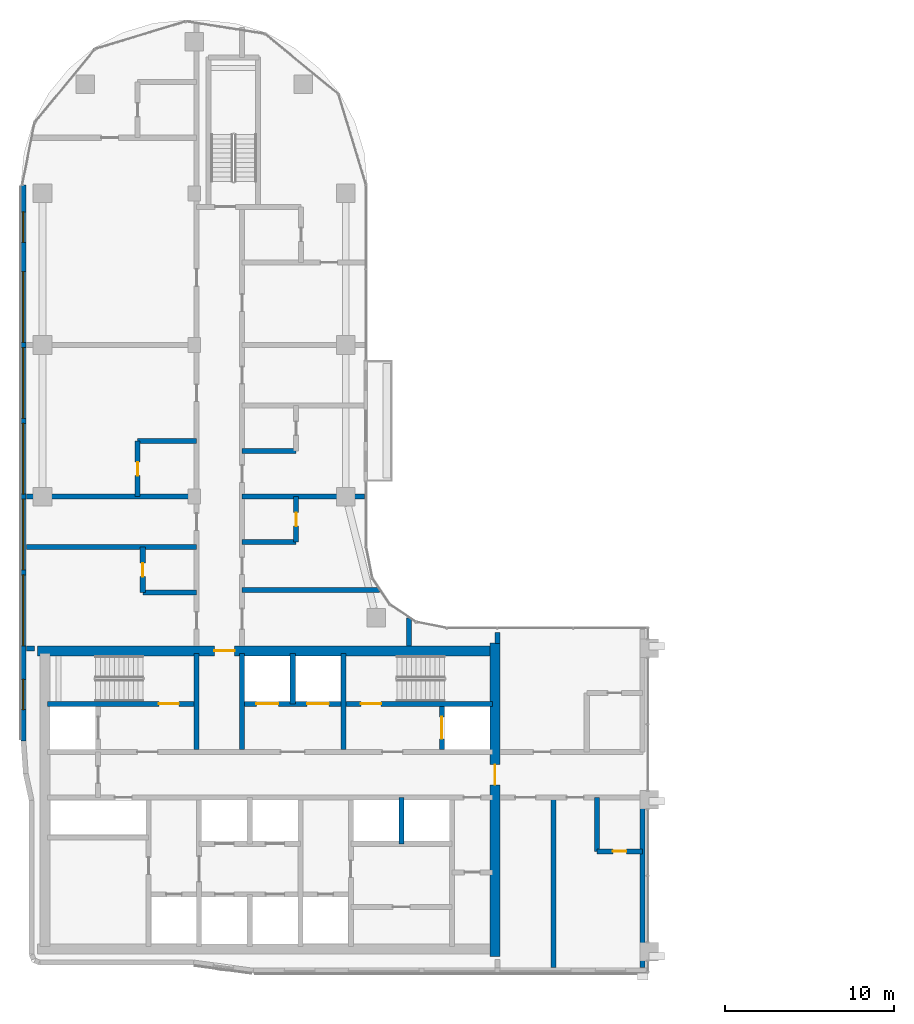
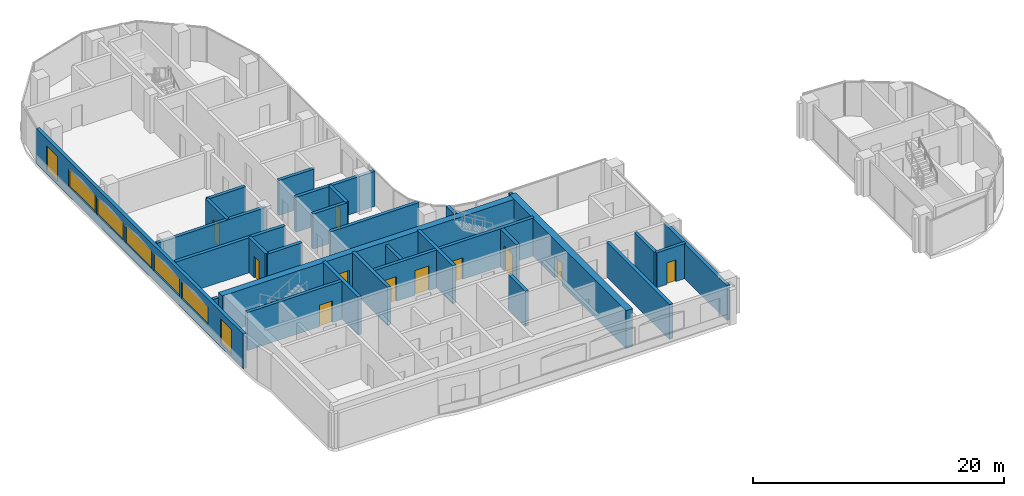
# One storey, part 11 of 23: 29 walls, 11 doors, 7 windows, 18 openings.
"""IFC4 building model written with IfcOpenShell, lengths in metres."""

from ifc_helpers import new_model, si_unit, direction, frame, frame_2d, origin, place, context, subcontext, project, spatial, rectangle, extrude, material, layer, layer_set, type_object, element, fill, save


model = new_model("IFC4")

# Units and contexts
model_context = context("Model", 3, precision=1e-05, world=origin(), true_north=direction((0.0, 1.0)))
body_context = subcontext(model_context, "Body", "Model", "MODEL_VIEW")
ifc_project = project(units=[si_unit("LENGTHUNIT", "METRE"), si_unit("AREAUNIT", "SQUARE_METRE"), si_unit("VOLUMEUNIT", "CUBIC_METRE"), si_unit("PLANEANGLEUNIT", "RADIAN"), si_unit("MASSUNIT", "GRAM", prefix="KILO")], contexts=[model_context])

# Site, building, storey
site_placement = place(None, origin())
site = spatial("IfcSite", under=ifc_project, at=site_placement, CompositionType="ELEMENT")
building_placement = place(site_placement, origin())
building = spatial("IfcBuilding", under=site, at=building_placement, Name="Ogive Portal Towers", CompositionType="ELEMENT")
storey_placement = place(building_placement, frame((0.0, 0.0, 164.39990234375)))
storey = spatial("IfcBuildingStorey", under=building, at=storey_placement, Name="L40", CompositionType="ELEMENT", Elevation=164.39990234375)

# Wall, opening, door
ifc_material_1 = material(Name="Concrete C60/75", Category="concrete")
ifc_layer_1 = layer(ifc_material_1, 0.300048828125)
ifc_layer_set_1 = layer_set([ifc_layer_1], Name="CORE WALL 300 C60")
wall_type_1 = type_object("IfcWallType", Name="CORE WALL 300 C60", PredefinedType="SHEAR", material=ifc_layer_set_1)
wall_1_placement = place(storey_placement, frame((31.800048828125, 36.199951171875, 0.0), z_axis=(0.0, 0.0, 1.0), x_axis=(1.0, 0.0, 0.0)))
wall_1 = element("IfcWall", 1, at=wall_1_placement, inside=storey, type_object=wall_type_1, Name="Core wall Y3a L40", PredefinedType="SHEAR", context=body_context, shape_type="SweptSolid", body=[
    extrude(rectangle(XDim=8.699951171875, YDim=0.300048828125, at=frame_2d((4.35009765625, 0.0))), origin(), (0.0, 0.0, 1.0), 3.7001953125),
])
opening_1_placement = place(wall_1_placement, frame((6.60009765625, 0.0, 0.0)))
opening_1 = element("IfcOpeningElement", 2, at=opening_1_placement, cuts=wall_1, Name="Opening D16-005", PredefinedType="OPENING", context=body_context, shape_type="SweptSolid", body=[
    extrude(rectangle(XDim=1.199951171875, YDim=2.10009765625, at=frame_2d((0.60009765625, 1.050048828125))), frame((0.0, 0.16015625, 0.0), z_axis=(0.0, -1.0, 0.0), x_axis=(1.0, 0.0, 0.0)), (0.0, 0.0, 1.0), 0.320068359375),
])
ifc_material_2 = material(Name="Steel fire door", Category="steel")
door_type_1 = type_object("IfcDoorType", Name="DT-SWING-1200x2100-FD90S", OperationType="SINGLE_SWING_LEFT", PredefinedType="DOOR", material=ifc_material_2)
door_1_placement = place(opening_1_placement, origin())
door_1 = element("IfcDoor", 3, at=door_1_placement, inside=storey, type_object=door_type_1, Name="Door D16-005", OperationType="SINGLE_SWING_RIGHT", OverallHeight=2.10009765625, OverallWidth=1.199951171875, PredefinedType="DOOR", context=body_context, shape_type="SweptSolid", body=[
    extrude(rectangle(XDim=1.199951171875, YDim=2.10009765625, at=frame_2d((0.60009765625, 1.050048828125))), frame((0.0, 0.02490234375, 0.0), z_axis=(0.0, -1.0, 0.0), x_axis=(1.0, 0.0, 0.0)), (0.0, 0.0, 1.0), 0.050048828125),
])
fill(opening_1, door_1)

# Wall, openings, doors
wall_2_placement = place(storey_placement, frame((43.5, 36.199951171875, 0.0), z_axis=(0.0, 0.0, 1.0), x_axis=(1.0, 0.0, 0.0)))
wall_2 = element("IfcWall", 4, at=wall_2_placement, inside=storey, type_object=wall_type_1, Name="Core wall Y3b L40", PredefinedType="SHEAR", context=body_context, shape_type="SweptSolid", body=[
    extrude(rectangle(XDim=14.699951171875, YDim=0.300048828125, at=frame_2d((7.35009765625, 0.0))), origin(), (0.0, 0.0, 1.0), 3.7001953125),
])
opening_2_placement = place(wall_2_placement, frame((6.89990234375, 0.0, 0.0)))
opening_2 = element("IfcOpeningElement", 5, at=opening_2_placement, cuts=wall_2, Name="Opening D16-006", PredefinedType="OPENING", context=body_context, shape_type="SweptSolid", body=[
    extrude(rectangle(XDim=1.199951171875, YDim=2.10009765625, at=frame_2d((0.60009765625, 1.050048828125))), frame((0.0, 0.16015625, 0.0), z_axis=(0.0, -1.0, 0.0), x_axis=(1.0, 0.0, 0.0)), (0.0, 0.0, 1.0), 0.320068359375),
])
opening_3_placement = place(wall_2_placement, frame((0.699951171875, 0.0, 0.0)))
opening_3 = element("IfcOpeningElement", 6, at=opening_3_placement, cuts=wall_2, Name="Opening D16-017", PredefinedType="OPENING", context=body_context, shape_type="SweptSolid", body=[
    extrude(rectangle(XDim=1.300048828125, YDim=2.39990234375, at=frame_2d((0.64990234375, 1.199951171875))), frame((0.0, 0.16015625, 0.0), z_axis=(0.0, -1.0, 0.0), x_axis=(1.0, 0.0, 0.0)), (0.0, 0.0, 1.0), 0.320068359375),
])
opening_4_placement = place(wall_2_placement, frame((3.699951171875, 0.0, 0.0)))
opening_4 = element("IfcOpeningElement", 7, at=opening_4_placement, cuts=wall_2, Name="Opening D16-018", PredefinedType="OPENING", context=body_context, shape_type="SweptSolid", body=[
    extrude(rectangle(XDim=1.300048828125, YDim=2.39990234375, at=frame_2d((0.64990234375, 1.199951171875))), frame((0.0, 0.16015625, 0.0), z_axis=(0.0, -1.0, 0.0), x_axis=(1.0, 0.0, 0.0)), (0.0, 0.0, 1.0), 0.320068359375),
])
ifc_material_3 = material(Name="Stainless steel", Category="steel")
door_type_2 = type_object("IfcDoorType", Name="DT-LD-1300x2400", OperationType="SLIDING_TO_LEFT", PredefinedType="DOOR", material=ifc_material_3)
door_2_placement = place(opening_3_placement, origin())
door_2 = element("IfcDoor", 8, at=door_2_placement, inside=storey, type_object=door_type_2, Name="Door D16-017", OperationType="SLIDING_TO_LEFT", OverallHeight=2.39990234375, OverallWidth=1.300048828125, PredefinedType="DOOR", context=body_context, shape_type="SweptSolid", body=[
    extrude(rectangle(XDim=1.300048828125, YDim=2.39990234375, at=frame_2d((0.64990234375, 1.199951171875))), frame((0.0, 0.02490234375, 0.0), z_axis=(0.0, -1.0, 0.0), x_axis=(1.0, 0.0, 0.0)), (0.0, 0.0, 1.0), 0.050048828125),
])
fill(opening_3, door_2)
door_3_placement = place(opening_4_placement, origin())
door_3 = element("IfcDoor", 9, at=door_3_placement, inside=storey, type_object=door_type_2, Name="Door D16-018", OperationType="SLIDING_TO_LEFT", OverallHeight=2.39990234375, OverallWidth=1.300048828125, PredefinedType="DOOR", context=body_context, shape_type="SweptSolid", body=[
    extrude(rectangle(XDim=1.300048828125, YDim=2.39990234375, at=frame_2d((0.64990234375, 1.199951171875))), frame((0.0, 0.02490234375, 0.0), z_axis=(0.0, -1.0, 0.0), x_axis=(1.0, 0.0, 0.0)), (0.0, 0.0, 1.0), 0.050048828125),
])
fill(opening_4, door_3)
door_4_placement = place(opening_2_placement, origin())
door_4 = element("IfcDoor", 10, at=door_4_placement, inside=storey, type_object=door_type_1, Name="Door D16-006", OperationType="SINGLE_SWING_LEFT", OverallHeight=2.10009765625, OverallWidth=1.199951171875, PredefinedType="DOOR", context=body_context, shape_type="SweptSolid", body=[
    extrude(rectangle(XDim=1.199951171875, YDim=2.10009765625, at=frame_2d((0.60009765625, 1.050048828125))), frame((0.0, 0.02490234375, 0.0), z_axis=(0.0, -1.0, 0.0), x_axis=(1.0, 0.0, 0.0)), (0.0, 0.0, 1.0), 0.050048828125),
])
fill(opening_2, door_4)

# Walls
for number, where, z_axis, x_axis, name in (
    (11, (40.64990234375, 33.5, 0.0), (0.0, 0.0, 1.0), (0.0, 1.0, 0.0), "Core wall X6 L40"),
    (12, (43.35009765625, 33.5, 0.0), (0.0, 0.0, 1.0), (0.0, 1.0, 0.0), "Core wall X7 L40"),
    (13, (49.35009765625, 33.5, 0.0), (0.0, 0.0, 1.0), (0.0, 1.0, 0.0), "Core wall X9 L40"),
):
    element("IfcWall", number, at=place(storey_placement, frame(where, z_axis=z_axis, x_axis=x_axis)), inside=storey, type_object=wall_type_1, Name=name, PredefinedType="SHEAR", context=body_context, shape_type="SweptSolid", body=[
        extrude(rectangle(XDim=5.699951171875, YDim=0.300048828125, at=frame_2d((2.85009765625, 0.0))), origin(), (0.0, 0.0, 1.0), 3.7001953125),
    ])

# Wall, opening, door
wall_3_placement = place(storey_placement, frame((55.199951171875, 33.5, 0.0), z_axis=(0.0, 0.0, 1.0), x_axis=(0.0, 1.0, 0.0)))
wall_3 = element("IfcWall", 14, at=wall_3_placement, inside=storey, type_object=wall_type_1, Name="Core wall X10 L40", PredefinedType="SHEAR", context=body_context, shape_type="SweptSolid", body=[
    extrude(rectangle(XDim=2.550048828125, YDim=0.300048828125, at=frame_2d((1.27490234375, 0.0))), origin(), (0.0, 0.0, 1.0), 3.7001953125),
])
opening_5_placement = place(wall_3_placement, frame((0.625, 0.0, 0.0)))
opening_5 = element("IfcOpeningElement", 15, at=opening_5_placement, cuts=wall_3, Name="Opening D16-020", PredefinedType="OPENING", context=body_context, shape_type="SweptSolid", body=[
    extrude(rectangle(XDim=1.300048828125, YDim=2.39990234375, at=frame_2d((0.64990234375, 1.199951171875))), frame((0.0, 0.16015625, 0.0), z_axis=(0.0, -1.0, 0.0), x_axis=(1.0, 0.0, 0.0)), (0.0, 0.0, 1.0), 0.320068359375),
])
door_5_placement = place(opening_5_placement, origin())
door_5 = element("IfcDoor", 16, at=door_5_placement, inside=storey, type_object=door_type_2, Name="Door D16-020", OperationType="SLIDING_TO_LEFT", OverallHeight=2.39990234375, OverallWidth=1.300048828125, PredefinedType="DOOR", context=body_context, shape_type="SweptSolid", body=[
    extrude(rectangle(XDim=1.300048828125, YDim=2.39990234375, at=frame_2d((0.64990234375, 1.199951171875))), frame((0.0, 0.02490234375, 0.0), z_axis=(0.0, -1.0, 0.0), x_axis=(1.0, 0.0, 0.0)), (0.0, 0.0, 1.0), 0.050048828125),
])
fill(opening_5, door_5)

ifc_layer_2 = layer(ifc_material_1, 0.60009765625)
ifc_layer_set_2 = layer_set([ifc_layer_2], Name="CORE WALL 600 C60")
wall_type_2 = type_object("IfcWallType", Name="CORE WALL 600 C60", PredefinedType="SHEAR", material=ifc_layer_set_2)
wall_4_placement = place(storey_placement, frame((58.35009765625, 21.199951171875, 0.0), z_axis=(0.0, 0.0, 1.0), x_axis=(0.0, 1.0, 0.0)))
wall_4 = element("IfcWall", 17, at=wall_4_placement, inside=storey, type_object=wall_type_2, Name="Core wall E L40", PredefinedType="SHEAR", context=body_context, shape_type="SweptSolid", body=[
    extrude(rectangle(XDim=18.60009765625, YDim=0.60009765625, at=frame_2d((9.300048828125, 0.0))), origin(), (0.0, 0.0, 1.0), 3.7001953125),
])
opening_6_placement = place(wall_4_placement, frame((10.199951171875, 0.0, 0.0)))
opening_6 = element("IfcOpeningElement", 18, at=opening_6_placement, cuts=wall_4, Name="Opening D16-011", PredefinedType="OPENING", context=body_context, shape_type="SweptSolid", body=[
    extrude(rectangle(XDim=1.199951171875, YDim=2.10009765625, at=frame_2d((0.60009765625, 1.050048828125))), frame((0.0, 0.31005859375, 0.0), z_axis=(0.0, -1.0, 0.0), x_axis=(1.0, 0.0, 0.0)), (0.0, 0.0, 1.0), 0.6201171875),
])
door_6_placement = place(opening_6_placement, origin())
door_6 = element("IfcDoor", 19, at=door_6_placement, inside=storey, type_object=door_type_1, Name="Door D16-011", OperationType="SINGLE_SWING_LEFT", OverallHeight=2.10009765625, OverallWidth=1.199951171875, PredefinedType="DOOR", context=body_context, shape_type="SweptSolid", body=[
    extrude(rectangle(XDim=1.199951171875, YDim=2.10009765625, at=frame_2d((0.60009765625, 1.050048828125))), frame((0.0, 0.02490234375, 0.0), z_axis=(0.0, -1.0, 0.0), x_axis=(1.0, 0.0, 0.0)), (0.0, 0.0, 1.0), 0.050048828125),
])
fill(opening_6, door_6)

wall_5_placement = place(storey_placement, frame((31.199951171875, 39.35009765625, 0.0), z_axis=(0.0, 0.0, 1.0), x_axis=(1.0, 0.0, 0.0)))
wall_5 = element("IfcWall", 20, at=wall_5_placement, inside=storey, type_object=wall_type_2, Name="Core wall N L40", PredefinedType="SHEAR", context=body_context, shape_type="SweptSolid", body=[
    extrude(rectangle(XDim=27.0, YDim=0.60009765625, at=frame_2d((13.5, 0.0))), origin(), (0.0, 0.0, 1.0), 3.7001953125),
])
opening_7_placement = place(wall_5_placement, frame((10.5, 0.0, 0.0)))
opening_7 = element("IfcOpeningElement", 21, at=opening_7_placement, cuts=wall_5, Name="Opening D16-012", PredefinedType="OPENING", context=body_context, shape_type="SweptSolid", body=[
    extrude(rectangle(XDim=1.199951171875, YDim=2.10009765625, at=frame_2d((0.60009765625, 1.050048828125))), frame((0.0, 0.31005859375, 0.0), z_axis=(0.0, -1.0, 0.0), x_axis=(1.0, 0.0, 0.0)), (0.0, 0.0, 1.0), 0.6201171875),
])
door_7_placement = place(opening_7_placement, origin())
door_7 = element("IfcDoor", 22, at=door_7_placement, inside=storey, type_object=door_type_1, Name="Door D16-012", OperationType="SINGLE_SWING_RIGHT", OverallHeight=2.10009765625, OverallWidth=1.199951171875, PredefinedType="DOOR", context=body_context, shape_type="SweptSolid", body=[
    extrude(rectangle(XDim=1.199951171875, YDim=2.10009765625, at=frame_2d((0.60009765625, 1.050048828125))), frame((0.0, 0.02490234375, 0.0), z_axis=(0.0, -1.0, 0.0), x_axis=(1.0, 0.0, 0.0)), (0.0, 0.0, 1.0), 0.050048828125),
])
fill(opening_7, door_7)

# Wall, openings, windows
ifc_material_4 = material(Name="Limestone cladding on lightweight block wall", Category="masonry")
ifc_layer_3 = layer(ifc_material_4, 0.300048828125)
ifc_layer_set_3 = layer_set([ifc_layer_3], Name="EXTERNAL WALL 300 STONE")
wall_type_3 = type_object("IfcWallType", Name="EXTERNAL WALL 300 STONE", PredefinedType="SOLIDWALL", material=ifc_layer_set_3)
wall_6_placement = place(storey_placement, frame((30.364990234375, 66.9921875, 0.0), z_axis=(0.0, 0.0, 1.0), x_axis=(0.0, -1.0, 0.0)))
wall_6 = element("IfcWall", 23, at=wall_6_placement, inside=storey, type_object=wall_type_3, Name="A:L40:f19:r0:wall", PredefinedType="SOLIDWALL", context=body_context, shape_type="SweptSolid", body=[
    extrude(rectangle(XDim=32.9814453125, YDim=0.300048828125, at=frame_2d((16.49072265625, 0.0))), origin(), (0.0, 0.0, 1.0), 3.400146484375),
])
opening_8_placement = place(wall_6_placement, frame((1.595947265625, 0.0, 0.300048828125)))
opening_8 = element("IfcOpeningElement", 24, at=opening_8_placement, cuts=wall_6, Name="Opening WN10", PredefinedType="OPENING", context=body_context, shape_type="SweptSolid", body=[
    extrude(rectangle(XDim=1.800048828125, YDim=2.39990234375, at=frame_2d((0.89990234375, 1.199951171875))), frame((0.0, 0.16015625, 0.0), z_axis=(0.0, -1.0, 0.0), x_axis=(1.0, 0.0, 0.0)), (0.0, 0.0, 1.0), 0.320068359375),
])
opening_9_placement = place(wall_6_placement, frame((5.14208984375, 0.0, 0.89990234375)))
opening_9 = element("IfcOpeningElement", 25, at=opening_9_placement, cuts=wall_6, Name="Opening WN13", PredefinedType="OPENING", context=body_context, shape_type="SweptSolid", body=[
    extrude(rectangle(XDim=4.199951171875, YDim=1.699951171875, at=frame_2d((2.10009765625, 0.85009765625))), frame((0.0, 0.16015625, 0.0), z_axis=(0.0, -1.0, 0.0), x_axis=(1.0, 0.0, 0.0)), (0.0, 0.0, 1.0), 0.320068359375),
])
opening_10_placement = place(wall_6_placement, frame((9.64208984375, 0.0, 0.89990234375)))
opening_10 = element("IfcOpeningElement", 26, at=opening_10_placement, cuts=wall_6, Name="Opening WN13", PredefinedType="OPENING", context=body_context, shape_type="SweptSolid", body=[
    extrude(rectangle(XDim=4.199951171875, YDim=1.699951171875, at=frame_2d((2.10009765625, 0.85009765625))), frame((0.0, 0.16015625, 0.0), z_axis=(0.0, -1.0, 0.0), x_axis=(1.0, 0.0, 0.0)), (0.0, 0.0, 1.0), 0.320068359375),
])
opening_11_placement = place(wall_6_placement, frame((14.14208984375, 0.0, 0.89990234375)))
opening_11 = element("IfcOpeningElement", 27, at=opening_11_placement, cuts=wall_6, Name="Opening WN13", PredefinedType="OPENING", context=body_context, shape_type="SweptSolid", body=[
    extrude(rectangle(XDim=4.199951171875, YDim=1.699951171875, at=frame_2d((2.10009765625, 0.85009765625))), frame((0.0, 0.16015625, 0.0), z_axis=(0.0, -1.0, 0.0), x_axis=(1.0, 0.0, 0.0)), (0.0, 0.0, 1.0), 0.320068359375),
])
opening_12_placement = place(wall_6_placement, frame((18.64208984375, 0.0, 0.89990234375)))
opening_12 = element("IfcOpeningElement", 28, at=opening_12_placement, cuts=wall_6, Name="Opening WN13", PredefinedType="OPENING", context=body_context, shape_type="SweptSolid", body=[
    extrude(rectangle(XDim=4.199951171875, YDim=1.699951171875, at=frame_2d((2.10009765625, 0.85009765625))), frame((0.0, 0.16015625, 0.0), z_axis=(0.0, -1.0, 0.0), x_axis=(1.0, 0.0, 0.0)), (0.0, 0.0, 1.0), 0.320068359375),
])
opening_13_placement = place(wall_6_placement, frame((23.14208984375, 0.0, 0.89990234375)))
opening_13 = element("IfcOpeningElement", 29, at=opening_13_placement, cuts=wall_6, Name="Opening WN13", PredefinedType="OPENING", context=body_context, shape_type="SweptSolid", body=[
    extrude(rectangle(XDim=4.199951171875, YDim=1.699951171875, at=frame_2d((2.10009765625, 0.85009765625))), frame((0.0, 0.16015625, 0.0), z_axis=(0.0, -1.0, 0.0), x_axis=(1.0, 0.0, 0.0)), (0.0, 0.0, 1.0), 0.320068359375),
])
opening_14_placement = place(wall_6_placement, frame((29.336669921875, 0.0, 0.300048828125)))
opening_14 = element("IfcOpeningElement", 30, at=opening_14_placement, cuts=wall_6, Name="Opening WN10", PredefinedType="OPENING", context=body_context, shape_type="SweptSolid", body=[
    extrude(rectangle(XDim=1.800048828125, YDim=2.39990234375, at=frame_2d((0.89990234375, 1.199951171875))), frame((0.0, 0.16015625, 0.0), z_axis=(0.0, -1.0, 0.0), x_axis=(1.0, 0.0, 0.0)), (0.0, 0.0, 1.0), 0.320068359375),
])
ifc_material_5 = material(Name="Glass, clear low-iron insulated glazing", Category="glass")
window_type_1 = type_object("IfcWindowType", Name="WINDOW RIBBON LANCET 4200x1700", PartitioningType="TRIPLE_PANEL_VERTICAL", PredefinedType="WINDOW", material=ifc_material_5)
window_1_placement = place(opening_9_placement, origin())
window_1 = element("IfcWindow", 31, at=window_1_placement, inside=storey, type_object=window_type_1, Name="A:L40:f19:r0:w1", OverallHeight=1.699951171875, OverallWidth=4.199951171875, PartitioningType="SINGLE_PANEL", PredefinedType="WINDOW", context=body_context, shape_type="SweptSolid", body=[
    extrude(rectangle(XDim=4.199951171875, YDim=1.699951171875, at=frame_2d((2.10009765625, 0.85009765625))), frame((0.0, 0.030029296875, 0.0), z_axis=(0.0, -1.0, 0.0), x_axis=(1.0, 0.0, 0.0)), (0.0, 0.0, 1.0), 0.06005859375),
])
fill(opening_9, window_1)
window_2_placement = place(opening_10_placement, origin())
window_2 = element("IfcWindow", 32, at=window_2_placement, inside=storey, type_object=window_type_1, Name="A:L40:f19:r0:w2", OverallHeight=1.699951171875, OverallWidth=4.199951171875, PartitioningType="SINGLE_PANEL", PredefinedType="WINDOW", context=body_context, shape_type="SweptSolid", body=[
    extrude(rectangle(XDim=4.199951171875, YDim=1.699951171875, at=frame_2d((2.10009765625, 0.85009765625))), frame((0.0, 0.030029296875, 0.0), z_axis=(0.0, -1.0, 0.0), x_axis=(1.0, 0.0, 0.0)), (0.0, 0.0, 1.0), 0.06005859375),
])
fill(opening_10, window_2)
window_3_placement = place(opening_11_placement, origin())
window_3 = element("IfcWindow", 33, at=window_3_placement, inside=storey, type_object=window_type_1, Name="A:L40:f19:r0:w3", OverallHeight=1.699951171875, OverallWidth=4.199951171875, PartitioningType="SINGLE_PANEL", PredefinedType="WINDOW", context=body_context, shape_type="SweptSolid", body=[
    extrude(rectangle(XDim=4.199951171875, YDim=1.699951171875, at=frame_2d((2.10009765625, 0.85009765625))), frame((0.0, 0.030029296875, 0.0), z_axis=(0.0, -1.0, 0.0), x_axis=(1.0, 0.0, 0.0)), (0.0, 0.0, 1.0), 0.06005859375),
])
fill(opening_11, window_3)
window_4_placement = place(opening_12_placement, origin())
window_4 = element("IfcWindow", 34, at=window_4_placement, inside=storey, type_object=window_type_1, Name="A:L40:f19:r0:w4", OverallHeight=1.699951171875, OverallWidth=4.199951171875, PartitioningType="SINGLE_PANEL", PredefinedType="WINDOW", context=body_context, shape_type="SweptSolid", body=[
    extrude(rectangle(XDim=4.199951171875, YDim=1.699951171875, at=frame_2d((2.10009765625, 0.85009765625))), frame((0.0, 0.030029296875, 0.0), z_axis=(0.0, -1.0, 0.0), x_axis=(1.0, 0.0, 0.0)), (0.0, 0.0, 1.0), 0.06005859375),
])
fill(opening_12, window_4)
window_5_placement = place(opening_13_placement, origin())
window_5 = element("IfcWindow", 35, at=window_5_placement, inside=storey, type_object=window_type_1, Name="A:L40:f19:r0:w5", OverallHeight=1.699951171875, OverallWidth=4.199951171875, PartitioningType="SINGLE_PANEL", PredefinedType="WINDOW", context=body_context, shape_type="SweptSolid", body=[
    extrude(rectangle(XDim=4.199951171875, YDim=1.699951171875, at=frame_2d((2.10009765625, 0.85009765625))), frame((0.0, 0.030029296875, 0.0), z_axis=(0.0, -1.0, 0.0), x_axis=(1.0, 0.0, 0.0)), (0.0, 0.0, 1.0), 0.06005859375),
])
fill(opening_13, window_5)
window_type_2 = type_object("IfcWindowType", Name="WINDOW SUITE CORNER 1800x2400", PartitioningType="DOUBLE_PANEL_VERTICAL", PredefinedType="WINDOW", material=ifc_material_5)
window_6_placement = place(opening_8_placement, origin())
window_6 = element("IfcWindow", 36, at=window_6_placement, inside=storey, type_object=window_type_2, Name="A:L40:f19:r0:w0", OverallHeight=2.39990234375, OverallWidth=1.800048828125, PartitioningType="SINGLE_PANEL", PredefinedType="WINDOW", context=body_context, shape_type="SweptSolid", body=[
    extrude(rectangle(XDim=1.800048828125, YDim=2.39990234375, at=frame_2d((0.89990234375, 1.199951171875))), frame((0.0, 0.030029296875, 0.0), z_axis=(0.0, -1.0, 0.0), x_axis=(1.0, 0.0, 0.0)), (0.0, 0.0, 1.0), 0.06005859375),
])
fill(opening_8, window_6)
window_7_placement = place(opening_14_placement, origin())
window_7 = element("IfcWindow", 37, at=window_7_placement, inside=storey, type_object=window_type_2, Name="A:L40:f19:r0:w6", OverallHeight=2.39990234375, OverallWidth=1.800048828125, PartitioningType="SINGLE_PANEL", PredefinedType="WINDOW", context=body_context, shape_type="SweptSolid", body=[
    extrude(rectangle(XDim=1.800048828125, YDim=2.39990234375, at=frame_2d((0.89990234375, 1.199951171875))), frame((0.0, 0.030029296875, 0.0), z_axis=(0.0, -1.0, 0.0), x_axis=(1.0, 0.0, 0.0)), (0.0, 0.0, 1.0), 0.06005859375),
])
fill(opening_14, window_7)

# Wall, opening, door
ifc_material_6 = material(Name="Gypsum board partition on steel studs", Category="steel")
ifc_layer_4 = layer(ifc_material_6, 0.300048828125)
ifc_layer_set_4 = layer_set([ifc_layer_4], Name="WT-PART-300-EI 60")
wall_type_4 = type_object("IfcWallType", Name="WT-PART-300-EI 60", PredefinedType="PARTITIONING", material=ifc_layer_set_4)
wall_7_placement = place(storey_placement, frame((64.39990234375, 27.449951171875, 0.0), z_axis=(0.0, 0.0, 1.0), x_axis=(1.0, 0.0, 0.0)))
wall_7 = element("IfcWall", 38, at=wall_7_placement, inside=storey, type_object=wall_type_4, Name="Wall L40:w002", PredefinedType="PARTITIONING", context=body_context, shape_type="SweptSolid", body=[
    extrude(rectangle(XDim=2.7001953125, YDim=0.300048828125, at=frame_2d((1.35009765625, 0.0))), origin(), (0.0, 0.0, 1.0), 3.400146484375),
])
opening_15_placement = place(wall_7_placement, frame((0.949951171875, 0.0, 0.0)))
opening_15 = element("IfcOpeningElement", 39, at=opening_15_placement, cuts=wall_7, Name="Opening D16-029", PredefinedType="OPENING", context=body_context, shape_type="SweptSolid", body=[
    extrude(rectangle(XDim=0.800048828125, YDim=2.10009765625, at=frame_2d((0.39990234375, 1.050048828125))), frame((0.0, 0.16015625, 0.0), z_axis=(0.0, -1.0, 0.0), x_axis=(1.0, 0.0, 0.0)), (0.0, 0.0, 1.0), 0.320068359375),
])
door_type_3 = type_object("IfcDoorType", Name="DT-BATH-800x2100-FD60S", OperationType="SINGLE_SWING_LEFT", PredefinedType="DOOR", material=ifc_material_2)
door_8_placement = place(opening_15_placement, origin())
door_8 = element("IfcDoor", 40, at=door_8_placement, inside=storey, type_object=door_type_3, Name="Door D16-029", OperationType="SINGLE_SWING_LEFT", OverallHeight=2.10009765625, OverallWidth=0.800048828125, PredefinedType="DOOR", context=body_context, shape_type="SweptSolid", body=[
    extrude(rectangle(XDim=0.800048828125, YDim=2.10009765625, at=frame_2d((0.39990234375, 1.050048828125))), frame((0.0, 0.02490234375, 0.0), z_axis=(0.0, -1.0, 0.0), x_axis=(1.0, 0.0, 0.0)), (0.0, 0.0, 1.0), 0.050048828125),
])
fill(opening_15, door_8)

# Walls
wall_8_placement = place(storey_placement, frame((30.56494140625, 39.5, 0.0), z_axis=(0.0, 0.0, 1.0), x_axis=(1.0, 0.0, 0.0)))
element("IfcWall", 41, at=wall_8_placement, inside=storey, type_object=wall_type_4, Name="Wall L40:w008", PredefinedType="PARTITIONING", context=body_context, shape_type="SweptSolid", body=[
    extrude(rectangle(XDim=0.465087890625, YDim=0.300048828125, at=frame_2d((0.232421875, 0.0))), origin(), (0.0, 0.0, 1.0), 3.400146484375),
])
wall_9_placement = place(storey_placement, frame((37.449951171875, 42.800048828125, 0.0), z_axis=(0.0, 0.0, 1.0), x_axis=(1.0, 0.0, 0.0)))
element("IfcWall", 42, at=wall_9_placement, inside=storey, type_object=wall_type_4, Name="Wall L40:w009", PredefinedType="PARTITIONING", context=body_context, shape_type="SweptSolid", body=[
    extrude(rectangle(XDim=3.199951171875, YDim=0.300048828125, at=frame_2d((1.60009765625, 0.0))), origin(), (0.0, 0.0, 1.0), 3.400146484375),
])
wall_10_placement = place(storey_placement, frame((43.35009765625, 42.969970703125, 0.0), z_axis=(0.0, 0.0, 1.0), x_axis=(1.0, 0.0, 0.0)))
element("IfcWall", 43, at=wall_10_placement, inside=storey, type_object=wall_type_4, Name="Wall L40:w010", PredefinedType="PARTITIONING", context=body_context, shape_type="SweptSolid", body=[
    extrude(rectangle(XDim=8.14892578125, YDim=0.300048828125, at=frame_2d((4.074462890625, 0.0))), origin(), (0.0, 0.0, 1.0), 3.400146484375),
])
wall_11_placement = place(storey_placement, frame((30.56494140625, 45.5, 0.0), z_axis=(0.0, 0.0, 1.0), x_axis=(1.0, 0.0, 0.0)))
element("IfcWall", 44, at=wall_11_placement, inside=storey, type_object=wall_type_4, Name="Wall L40:w011", PredefinedType="PARTITIONING", context=body_context, shape_type="SweptSolid", body=[
    extrude(rectangle(XDim=10.0849609375, YDim=0.300048828125, at=frame_2d((5.04248046875, 0.0))), origin(), (0.0, 0.0, 1.0), 3.400146484375),
])
wall_12_placement = place(storey_placement, frame((43.35009765625, 45.800048828125, 0.0), z_axis=(0.0, 0.0, 1.0), x_axis=(1.0, 0.0, 0.0)))
element("IfcWall", 45, at=wall_12_placement, inside=storey, type_object=wall_type_4, Name="Wall L40:w012", PredefinedType="PARTITIONING", context=body_context, shape_type="SweptSolid", body=[
    extrude(rectangle(XDim=3.199951171875, YDim=0.300048828125, at=frame_2d((1.60009765625, 0.0))), origin(), (0.0, 0.0, 1.0), 3.400146484375),
])
wall_13_placement = place(storey_placement, frame((30.56494140625, 48.5, 0.0), z_axis=(0.0, 0.0, 1.0), x_axis=(1.0, 0.0, 0.0)))
element("IfcWall", 46, at=wall_13_placement, inside=storey, type_object=wall_type_4, Name="Wall L40:w013", PredefinedType="PARTITIONING", context=body_context, shape_type="SweptSolid", body=[
    extrude(rectangle(XDim=10.0849609375, YDim=0.300048828125, at=frame_2d((5.04248046875, 0.0))), origin(), (0.0, 0.0, 1.0), 3.400146484375),
])
wall_14_placement = place(storey_placement, frame((43.35009765625, 48.5, 0.0), z_axis=(0.0, 0.0, 1.0), x_axis=(1.0, 0.0, 0.0)))
element("IfcWall", 47, at=wall_14_placement, inside=storey, type_object=wall_type_4, Name="Wall L40:w014", PredefinedType="PARTITIONING", context=body_context, shape_type="SweptSolid", body=[
    extrude(rectangle(XDim=7.264892578125, YDim=0.300048828125, at=frame_2d((3.63232421875, 0.0))), origin(), (0.0, 0.0, 1.0), 3.400146484375),
])
wall_15_placement = place(storey_placement, frame((43.35009765625, 51.199951171875, 0.0), z_axis=(0.0, 0.0, 1.0), x_axis=(1.0, 0.0, 0.0)))
element("IfcWall", 48, at=wall_15_placement, inside=storey, type_object=wall_type_4, Name="Wall L40:w015", PredefinedType="PARTITIONING", context=body_context, shape_type="SweptSolid", body=[
    extrude(rectangle(XDim=3.199951171875, YDim=0.300048828125, at=frame_2d((1.60009765625, 0.0))), origin(), (0.0, 0.0, 1.0), 3.400146484375),
])
wall_16_placement = place(storey_placement, frame((37.14990234375, 51.800048828125, 0.0), z_axis=(0.0, 0.0, 1.0), x_axis=(1.0, 0.0, 0.0)))
element("IfcWall", 49, at=wall_16_placement, inside=storey, type_object=wall_type_4, Name="Wall L40:w016", PredefinedType="PARTITIONING", context=body_context, shape_type="SweptSolid", body=[
    extrude(rectangle(XDim=3.5, YDim=0.300048828125, at=frame_2d((1.75, 0.0))), origin(), (0.0, 0.0, 1.0), 3.400146484375),
])

# Wall, opening, door
wall_17_placement = place(storey_placement, frame((37.14990234375, 48.5, 0.0), z_axis=(0.0, 0.0, 1.0), x_axis=(0.0, 1.0, 0.0)))
wall_17 = element("IfcWall", 50, at=wall_17_placement, inside=storey, type_object=wall_type_4, Name="Wall L40:w025", PredefinedType="PARTITIONING", context=body_context, shape_type="SweptSolid", body=[
    extrude(rectangle(XDim=3.300048828125, YDim=0.300048828125, at=frame_2d((1.64990234375, 0.0))), origin(), (0.0, 0.0, 1.0), 3.400146484375),
])
opening_16_placement = place(wall_17_placement, frame((1.25, 0.0, 0.0)))
opening_16 = element("IfcOpeningElement", 51, at=opening_16_placement, cuts=wall_17, Name="Opening D16-040", PredefinedType="OPENING", context=body_context, shape_type="SweptSolid", body=[
    extrude(rectangle(XDim=0.800048828125, YDim=2.10009765625, at=frame_2d((0.39990234375, 1.050048828125))), frame((0.0, 0.16015625, 0.0), z_axis=(0.0, -1.0, 0.0), x_axis=(1.0, 0.0, 0.0)), (0.0, 0.0, 1.0), 0.320068359375),
])
door_9_placement = place(opening_16_placement, origin())
door_9 = element("IfcDoor", 52, at=door_9_placement, inside=storey, type_object=door_type_3, Name="Door D16-040", OperationType="SINGLE_SWING_LEFT", OverallHeight=2.10009765625, OverallWidth=0.800048828125, PredefinedType="DOOR", context=body_context, shape_type="SweptSolid", body=[
    extrude(rectangle(XDim=0.800048828125, YDim=2.10009765625, at=frame_2d((0.39990234375, 1.050048828125))), frame((0.0, 0.02490234375, 0.0), z_axis=(0.0, -1.0, 0.0), x_axis=(1.0, 0.0, 0.0)), (0.0, 0.0, 1.0), 0.050048828125),
])
fill(opening_16, door_9)

wall_18_placement = place(storey_placement, frame((37.449951171875, 42.800048828125, 0.0), z_axis=(0.0, 0.0, 1.0), x_axis=(0.0, 1.0, 0.0)))
wall_18 = element("IfcWall", 53, at=wall_18_placement, inside=storey, type_object=wall_type_4, Name="Wall L40:w027", PredefinedType="PARTITIONING", context=body_context, shape_type="SweptSolid", body=[
    extrude(rectangle(XDim=2.699951171875, YDim=0.300048828125, at=frame_2d((1.35009765625, 0.0))), origin(), (0.0, 0.0, 1.0), 3.400146484375),
])
opening_17_placement = place(wall_18_placement, frame((0.949951171875, 0.0, 0.0)))
opening_17 = element("IfcOpeningElement", 54, at=opening_17_placement, cuts=wall_18, Name="Opening D16-034", PredefinedType="OPENING", context=body_context, shape_type="SweptSolid", body=[
    extrude(rectangle(XDim=0.800048828125, YDim=2.10009765625, at=frame_2d((0.39990234375, 1.050048828125))), frame((0.0, 0.16015625, 0.0), z_axis=(0.0, -1.0, 0.0), x_axis=(1.0, 0.0, 0.0)), (0.0, 0.0, 1.0), 0.320068359375),
])
door_10_placement = place(opening_17_placement, origin())
door_10 = element("IfcDoor", 55, at=door_10_placement, inside=storey, type_object=door_type_3, Name="Door D16-034", OperationType="SINGLE_SWING_LEFT", OverallHeight=2.10009765625, OverallWidth=0.800048828125, PredefinedType="DOOR", context=body_context, shape_type="SweptSolid", body=[
    extrude(rectangle(XDim=0.800048828125, YDim=2.10009765625, at=frame_2d((0.39990234375, 1.050048828125))), frame((0.0, 0.02490234375, 0.0), z_axis=(0.0, -1.0, 0.0), x_axis=(1.0, 0.0, 0.0)), (0.0, 0.0, 1.0), 0.050048828125),
])
fill(opening_17, door_10)

wall_19_placement = place(storey_placement, frame((46.550048828125, 45.800048828125, 0.0), z_axis=(0.0, 0.0, 1.0), x_axis=(0.0, 1.0, 0.0)))
wall_19 = element("IfcWall", 56, at=wall_19_placement, inside=storey, type_object=wall_type_4, Name="Wall L40:w033", PredefinedType="PARTITIONING", context=body_context, shape_type="SweptSolid", body=[
    extrude(rectangle(XDim=2.699951171875, YDim=0.300048828125, at=frame_2d((1.35009765625, 0.0))), origin(), (0.0, 0.0, 1.0), 3.400146484375),
])
opening_18_placement = place(wall_19_placement, frame((0.949951171875, 0.0, 0.0)))
opening_18 = element("IfcOpeningElement", 57, at=opening_18_placement, cuts=wall_19, Name="Opening D16-032", PredefinedType="OPENING", context=body_context, shape_type="SweptSolid", body=[
    extrude(rectangle(XDim=0.800048828125, YDim=2.10009765625, at=frame_2d((0.39990234375, 1.050048828125))), frame((0.0, 0.16015625, 0.0), z_axis=(0.0, -1.0, 0.0), x_axis=(1.0, 0.0, 0.0)), (0.0, 0.0, 1.0), 0.320068359375),
])
door_11_placement = place(opening_18_placement, origin())
door_11 = element("IfcDoor", 58, at=door_11_placement, inside=storey, type_object=door_type_3, Name="Door D16-032", OperationType="SINGLE_SWING_LEFT", OverallHeight=2.10009765625, OverallWidth=0.800048828125, PredefinedType="DOOR", context=body_context, shape_type="SweptSolid", body=[
    extrude(rectangle(XDim=0.800048828125, YDim=2.10009765625, at=frame_2d((0.39990234375, 1.050048828125))), frame((0.0, 0.02490234375, 0.0), z_axis=(0.0, -1.0, 0.0), x_axis=(1.0, 0.0, 0.0)), (0.0, 0.0, 1.0), 0.050048828125),
])
fill(opening_18, door_11)

# Walls
wall_20_placement = place(storey_placement, frame((53.25, 39.64990234375, 0.0), z_axis=(0.0, 0.0, 1.0), x_axis=(0.0, 1.0, 0.0)))
element("IfcWall", 59, at=wall_20_placement, inside=storey, type_object=wall_type_4, Name="Wall L40:w036", PredefinedType="PARTITIONING", context=body_context, shape_type="SweptSolid", body=[
    extrude(rectangle(XDim=1.6611328125, YDim=0.300048828125, at=frame_2d((0.83056640625, 0.0))), origin(), (0.0, 0.0, 1.0), 3.400146484375),
])
wall_21_placement = place(storey_placement, frame((58.5, 39.7900390625, 0.0), z_axis=(0.0, 0.0, 1.0), x_axis=(0.0, 1.0, 0.0)))
element("IfcWall", 60, at=wall_21_placement, inside=storey, type_object=wall_type_4, Name="Wall L40:w038", PredefinedType="PARTITIONING", context=body_context, shape_type="SweptSolid", body=[
    extrude(rectangle(XDim=0.64501953125, YDim=0.300048828125, at=frame_2d((0.322509765625, 0.0))), origin(), (0.0, 0.0, 1.0), 3.400146484375),
])
wall_22_placement = place(storey_placement, frame((61.837890625, 20.56494140625, 0.0), z_axis=(0.0, 0.0, 1.0), x_axis=(0.0, 1.0, 0.0)))
element("IfcWall", 61, at=wall_22_placement, inside=storey, type_object=wall_type_4, Name="Wall L40:w039", PredefinedType="PARTITIONING", context=body_context, shape_type="SweptSolid", body=[
    extrude(rectangle(XDim=10.0849609375, YDim=0.300048828125, at=frame_2d((5.04248046875, 0.0))), origin(), (0.0, 0.0, 1.0), 3.400146484375),
])
wall_23_placement = place(storey_placement, frame((64.39990234375, 27.449951171875, 0.0), z_axis=(0.0, 0.0, 1.0), x_axis=(0.0, 1.0, 0.0)))
element("IfcWall", 62, at=wall_23_placement, inside=storey, type_object=wall_type_4, Name="Wall L40:w041", PredefinedType="PARTITIONING", context=body_context, shape_type="SweptSolid", body=[
    extrude(rectangle(XDim=3.199951171875, YDim=0.300048828125, at=frame_2d((1.60009765625, 0.0))), origin(), (0.0, 0.0, 1.0), 3.400146484375),
])
wall_24_placement = place(storey_placement, frame((67.10009765625, 20.56494140625, 0.0), z_axis=(0.0, 0.0, 1.0), x_axis=(0.0, 1.0, 0.0)))
element("IfcWall", 63, at=wall_24_placement, inside=storey, type_object=wall_type_4, Name="Wall L40:w042", PredefinedType="PARTITIONING", context=body_context, shape_type="SweptSolid", body=[
    extrude(rectangle(XDim=10.0849609375, YDim=0.300048828125, at=frame_2d((5.04248046875, 0.0))), origin(), (0.0, 0.0, 1.0), 3.400146484375),
])
ifc_material_7 = material(Name="Concrete C40/50", Category="concrete")
ifc_layer_5 = layer(ifc_material_7, 0.300048828125)
ifc_layer_set_5 = layer_set([ifc_layer_5], Name="WT-SHAFT-300")
wall_type_5 = type_object("IfcWallType", Name="WT-SHAFT-300", PredefinedType="SOLIDWALL", material=ifc_layer_set_5)
wall_25_placement = place(storey_placement, frame((46.35009765625, 36.199951171875, 0.0), z_axis=(0.0, 0.0, 1.0), x_axis=(0.0, 1.0, 0.0)))
element("IfcWall", 64, at=wall_25_placement, inside=storey, type_object=wall_type_5, Name="Wall pw:010:L40", PredefinedType="SOLIDWALL", context=body_context, shape_type="SweptSolid", body=[
    extrude(rectangle(XDim=3.0, YDim=0.300048828125, at=frame_2d((1.5, 0.0))), origin(), (0.0, 0.0, 1.0), 3.400146484375),
])
wall_26_placement = place(storey_placement, frame((52.800048828125, 27.89990234375, 0.0), z_axis=(0.0, 0.0, 1.0), x_axis=(0.0, 1.0, 0.0)))
element("IfcWall", 65, at=wall_26_placement, inside=storey, type_object=wall_type_5, Name="Wall pw:011:L40", PredefinedType="SOLIDWALL", context=body_context, shape_type="SweptSolid", body=[
    extrude(rectangle(XDim=2.75, YDim=0.300048828125, at=frame_2d((1.375, 0.0))), origin(), (0.0, 0.0, 1.0), 3.400146484375),
])

save(model, "model.ifc")
